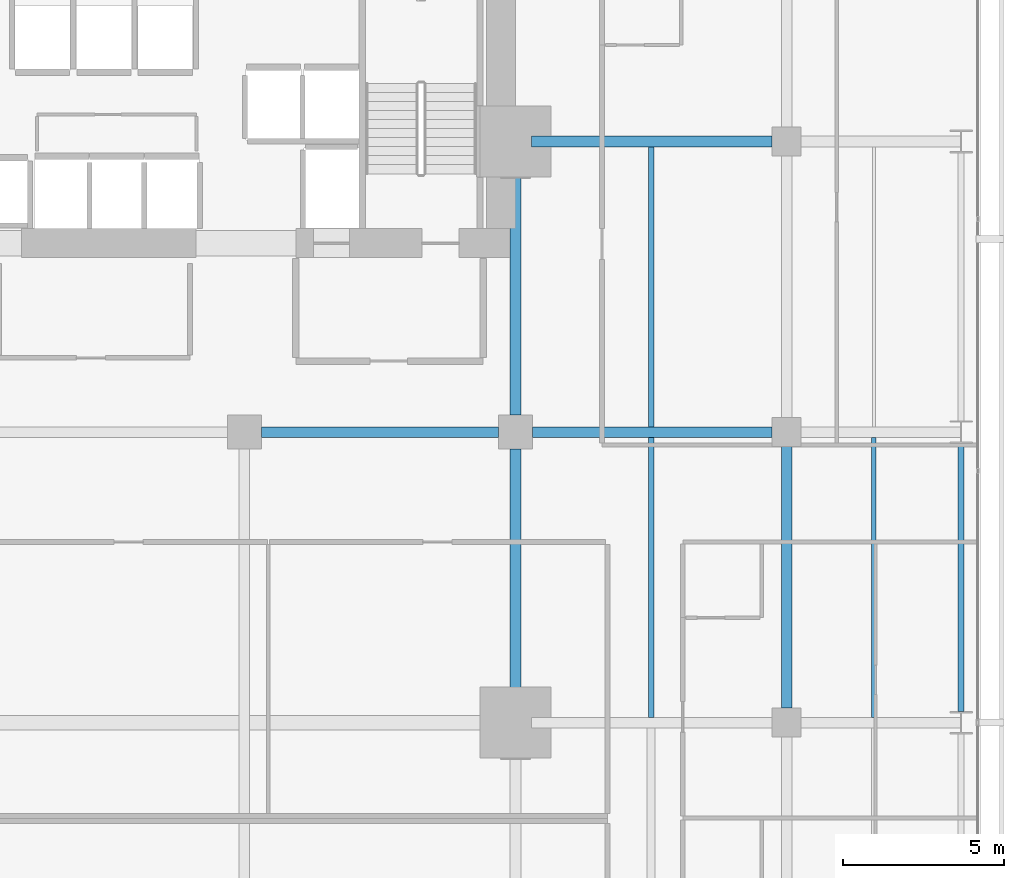
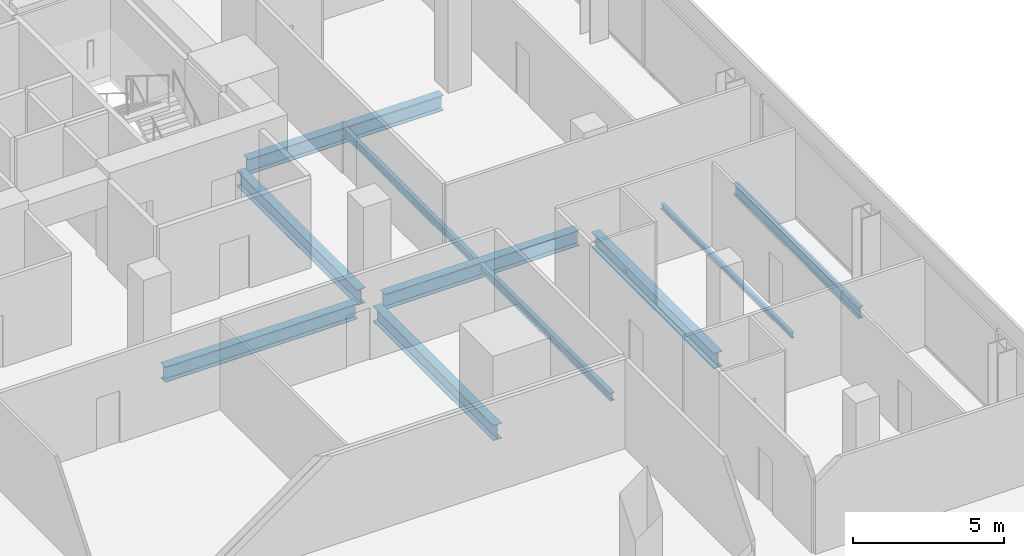
# One storey, part 27 of 39: 10 beams.
"""IFC4 building model written with IfcOpenShell, lengths in metres."""

from ifc_helpers import new_model, si_unit, direction, frame, origin, origin_2d, place, context, subcontext, project, spatial, i_section, extrude, material, material_profile, profile_set, type_object, element, save


model = new_model("IFC4")

# Units and contexts
model_context = context("Model", 3, precision=1e-05, world=origin(), true_north=direction((0.0, 1.0)))
body_context = subcontext(model_context, "Body", "Model", "MODEL_VIEW")
ifc_project = project(units=[si_unit("LENGTHUNIT", "METRE"), si_unit("AREAUNIT", "SQUARE_METRE"), si_unit("VOLUMEUNIT", "CUBIC_METRE"), si_unit("PLANEANGLEUNIT", "RADIAN"), si_unit("MASSUNIT", "GRAM", prefix="KILO")], contexts=[model_context])

# Site, building, storey
site_placement = place(None, origin())
site = spatial("IfcSite", under=ifc_project, at=site_placement, CompositionType="ELEMENT")
building_placement = place(site_placement, origin())
building = spatial("IfcBuilding", under=site, at=building_placement, Name="Maruvema Waterfront Hotel and Observation Tower", CompositionType="ELEMENT")
storey_placement = place(building_placement, frame((0.0, 0.0, 65.449951171875)))
storey = spatial("IfcBuildingStorey", under=building, at=storey_placement, Name="L15", CompositionType="ELEMENT", Elevation=65.449951171875)

# Beams
ifc_material_1 = material(Name="Steel ASTM A572 Grade 50", Category="steel")
ifc_material_profile_1 = material_profile(ifc_material_1, i_section(OverallWidth=0.18994140625, OverallDepth=0.45703125, WebThickness=0.009033203125, FlangeThickness=0.014404296875, FilletRadius=0.014892578125, at=origin_2d()), Name="W460x74.0")
ifc_profile_set_1 = profile_set([ifc_material_profile_1], Name="Steel ASTM A572 Grade 50")
beam_type_1 = type_object("IfcBeamType", Name="Perimeter Spandrel Beam W460x74.0", PredefinedType="SPANDREL", material=ifc_profile_set_1)
beam_1_placement = place(storey_placement, frame((64.199951171875, 27.35009765625, -0.468505859375), z_axis=(0.0, 1.0, 0.0), x_axis=(-1.0, 0.0, 0.0)))
element("IfcBeam", 1, at=beam_1_placement, inside=storey, type_object=beam_type_1, Name="L15 Floor Girder NS-35", PredefinedType="SPANDREL", context=body_context, shape_type="SweptSolid", body=[
    extrude(i_section(OverallWidth=0.18994140625, OverallDepth=0.45703125, WebThickness=0.009033203125, FlangeThickness=0.014404296875, FilletRadius=0.014892578125, at=origin_2d()), origin(), (0.0, 0.0, 1.0), 8.2998046875),
])
ifc_material_2 = material(Name="Steel ASTM A572 Grade 50", Category="steel")
ifc_material_profile_2 = material_profile(ifc_material_2, i_section(OverallWidth=0.326904296875, OverallDepth=0.6220703125, WebThickness=0.015380859375, FlangeThickness=0.0244140625, FilletRadius=0.01806640625, at=origin_2d()), Name="W610x195.0")
ifc_profile_set_2 = profile_set([ifc_material_profile_2], Name="Steel ASTM A572 Grade 50")
beam_type_2 = type_object("IfcBeamType", Name="Primary Floor Girder W610x195.0", PredefinedType="BEAM", material=ifc_profile_set_2)
beam_2_placement = place(storey_placement, frame((42.52490234375, 36.0, -0.551025390625), z_axis=(1.0, 0.0, 0.0), x_axis=(0.0, 1.0, 0.0)))
element("IfcBeam", 2, at=beam_2_placement, inside=storey, type_object=beam_type_2, Name="L15 Floor Girder EW-29", PredefinedType="BEAM", context=body_context, shape_type="SweptSolid", body=[
    extrude(i_section(OverallWidth=0.326904296875, OverallDepth=0.6220703125, WebThickness=0.015380859375, FlangeThickness=0.0244140625, FilletRadius=0.01806640625, at=origin_2d()), origin(), (0.0, 0.0, 1.0), 7.35009765625),
])
beam_3_placement = place(storey_placement, frame((50.925048828125, 36.0, -0.551025390625), z_axis=(1.0, 0.0, 0.0), x_axis=(0.0, 1.0, 0.0)))
element("IfcBeam", 3, at=beam_3_placement, inside=storey, type_object=beam_type_2, Name="L15 Floor Girder EW-30", PredefinedType="BEAM", context=body_context, shape_type="SweptSolid", body=[
    extrude(i_section(OverallWidth=0.326904296875, OverallDepth=0.6220703125, WebThickness=0.015380859375, FlangeThickness=0.0244140625, FilletRadius=0.01806640625, at=origin_2d()), origin(), (0.0, 0.0, 1.0), 7.425048828125),
])
beam_4_placement = place(storey_placement, frame((50.89990234375, 45.0, -0.551025390625), z_axis=(1.0, 0.0, 0.0), x_axis=(0.0, 1.0, 0.0)))
element("IfcBeam", 4, at=beam_4_placement, inside=storey, type_object=beam_type_2, Name="L15 Floor Girder EW-34", PredefinedType="BEAM", context=body_context, shape_type="SweptSolid", body=[
    extrude(i_section(OverallWidth=0.326904296875, OverallDepth=0.6220703125, WebThickness=0.015380859375, FlangeThickness=0.0244140625, FilletRadius=0.01806640625, at=origin_2d()), origin(), (0.0, 0.0, 1.0), 7.4501953125),
])
for number, where, z_axis, x_axis, name in (
    (5, (50.39990234375, 27.5, -0.551025390625), (0.0, 1.0, 0.0), (-1.0, 0.0, 0.0), "L15 Floor Girder NS-25"),
    (6, (50.39990234375, 36.52490234375, -0.551025390625), (0.0, 1.0, 0.0), (-1.0, 0.0, 0.0), "L15 Floor Girder NS-26"),
):
    element("IfcBeam", number, at=place(storey_placement, frame(where, z_axis=z_axis, x_axis=x_axis)), inside=storey, type_object=beam_type_2, Name=name, PredefinedType="BEAM", context=body_context, shape_type="SweptSolid", body=[
        extrude(i_section(OverallWidth=0.326904296875, OverallDepth=0.6220703125, WebThickness=0.015380859375, FlangeThickness=0.0244140625, FilletRadius=0.01806640625, at=origin_2d()), origin(), (0.0, 0.0, 1.0), 7.97509765625),
    ])
beam_5_placement = place(storey_placement, frame((58.800048828125, 27.449951171875, -0.551025390625), z_axis=(0.0, 1.0, 0.0), x_axis=(-1.0, 0.0, 0.0)))
element("IfcBeam", 7, at=beam_5_placement, inside=storey, type_object=beam_type_2, Name="L15 Floor Girder NS-30", PredefinedType="BEAM", context=body_context, shape_type="SweptSolid", body=[
    extrude(i_section(OverallWidth=0.326904296875, OverallDepth=0.6220703125, WebThickness=0.015380859375, FlangeThickness=0.0244140625, FilletRadius=0.01806640625, at=origin_2d()), origin(), (0.0, 0.0, 1.0), 8.10009765625),
])
ifc_material_3 = material(Name="Steel ASTM A572 Grade 50", Category="steel")
ifc_material_profile_3 = material_profile(ifc_material_3, i_section(OverallWidth=0.133056640625, OverallDepth=0.20703125, WebThickness=0.005859375, FlangeThickness=0.00830078125, FilletRadius=0.010009765625, at=origin_2d()), Name="W200x26.6")
ifc_profile_set_3 = profile_set([ifc_material_profile_3], Name="Steel ASTM A572 Grade 50")
beam_type_3 = type_object("IfcBeamType", Name="Secondary Floor Joist W200x26.6", PredefinedType="JOIST", material=ifc_profile_set_3)
beam_6_placement = place(storey_placement, frame((61.5, 27.16357421875, -0.343505859375), z_axis=(0.0, 1.0, 0.0), x_axis=(-1.0, 0.0, 0.0)))
element("IfcBeam", 8, at=beam_6_placement, inside=storey, type_object=beam_type_3, Name="L15 Secondary Floor Joist JS-23", PredefinedType="JOIST", context=body_context, shape_type="SweptSolid", body=[
    extrude(i_section(OverallWidth=0.133056640625, OverallDepth=0.20703125, WebThickness=0.005859375, FlangeThickness=0.00830078125, FilletRadius=0.010009765625, at=origin_2d()), origin(), (0.0, 0.0, 1.0), 8.6728515625),
])
ifc_material_4 = material(Name="Steel ASTM A572 Grade 50", Category="steel")
ifc_material_profile_4 = material_profile(ifc_material_4, i_section(OverallWidth=0.1650390625, OverallDepth=0.31005859375, WebThickness=0.005859375, FlangeThickness=0.009765625, FilletRadius=0.012939453125, at=origin_2d()), Name="W310x38.7")
ifc_profile_set_4 = profile_set([ifc_material_profile_4], Name="Steel ASTM A572 Grade 50")
beam_type_4 = type_object("IfcBeamType", Name="Secondary Floor Joist W310x38.7", PredefinedType="JOIST", material=ifc_profile_set_4)
beam_7_placement = place(storey_placement, frame((54.60009765625, 36.16357421875, -0.39501953125), z_axis=(0.0, 1.0, 0.0), x_axis=(-1.0, 0.0, 0.0)))
element("IfcBeam", 9, at=beam_7_placement, inside=storey, type_object=beam_type_4, Name="L15 Secondary Floor Joist JS-20", PredefinedType="JOIST", context=body_context, shape_type="SweptSolid", body=[
    extrude(i_section(OverallWidth=0.1650390625, OverallDepth=0.31005859375, WebThickness=0.005859375, FlangeThickness=0.009765625, FilletRadius=0.012939453125, at=origin_2d()), origin(), (0.0, 0.0, 1.0), 8.6728515625),
])
ifc_material_5 = material(Name="Steel ASTM A572 Grade 50", Category="steel")
ifc_material_profile_5 = material_profile(ifc_material_5, i_section(OverallWidth=0.1669921875, OverallDepth=0.31689453125, WebThickness=0.007568359375, FlangeThickness=0.01318359375, FilletRadius=0.012939453125, at=origin_2d()), Name="W310x52.0")
ifc_profile_set_5 = profile_set([ifc_material_profile_5], Name="Steel ASTM A572 Grade 50")
beam_type_5 = type_object("IfcBeamType", Name="Secondary Floor Joist W310x52.0", PredefinedType="JOIST", material=ifc_profile_set_5)
beam_8_placement = place(storey_placement, frame((54.60009765625, 27.16357421875, -0.3984375), z_axis=(0.0, 1.0, 0.0), x_axis=(-1.0, 0.0, 0.0)))
element("IfcBeam", 10, at=beam_8_placement, inside=storey, type_object=beam_type_5, Name="L15 Secondary Floor Joist JS-19", PredefinedType="JOIST", context=body_context, shape_type="SweptSolid", body=[
    extrude(i_section(OverallWidth=0.1669921875, OverallDepth=0.31689453125, WebThickness=0.007568359375, FlangeThickness=0.01318359375, FilletRadius=0.012939453125, at=origin_2d()), origin(), (0.0, 0.0, 1.0), 8.6728515625),
])

save(model, "model.ifc")
